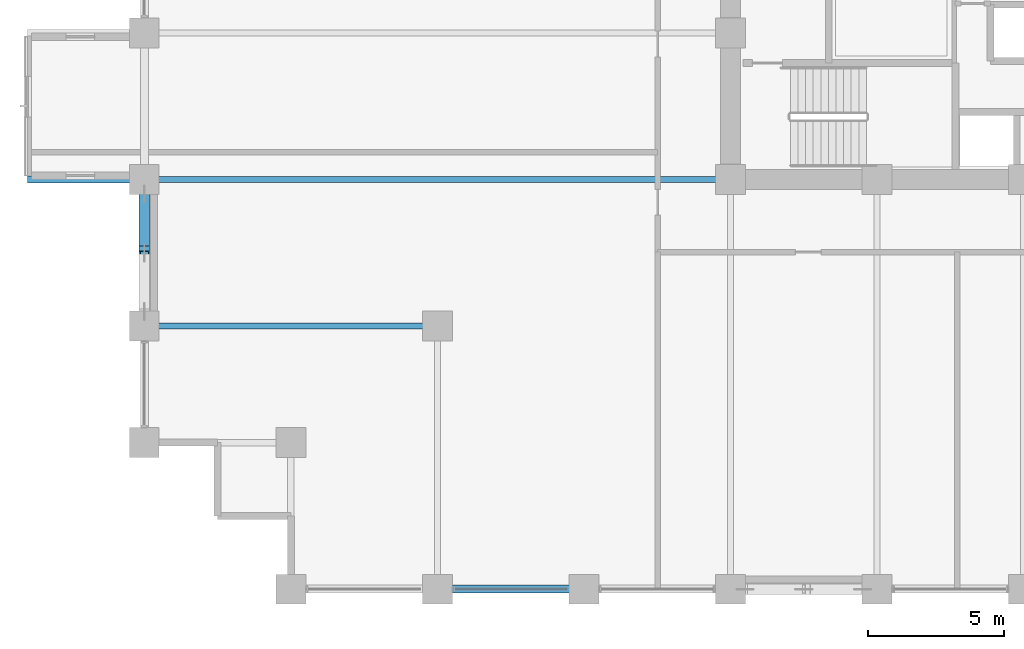
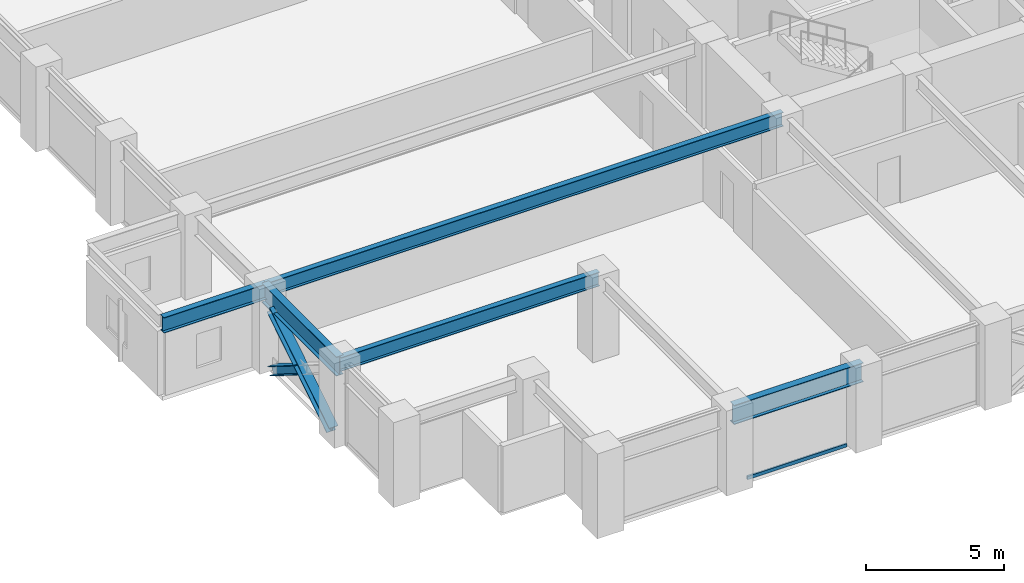
# One storey, part 3 of 29: 5 beams, 3 members, 1 element without a shape of its own.
"""IFC4 building model written with IfcOpenShell, lengths in metres."""

from ifc_helpers import new_model, si_unit, direction, frame, origin, origin_2d, place, context, subcontext, project, spatial, hollow_rectangle, i_section, extrude, material, layer, layer_set, material_profile, profile_set, type_object, element, aggregate, save


model = new_model("IFC4")

# Units and contexts
model_context = context("Model", 3, precision=1e-05, world=origin(), true_north=direction((0.0, 1.0)))
body_context = subcontext(model_context, "Body", "Model", "MODEL_VIEW")
ifc_project = project(units=[si_unit("LENGTHUNIT", "METRE"), si_unit("AREAUNIT", "SQUARE_METRE"), si_unit("VOLUMEUNIT", "CUBIC_METRE"), si_unit("PLANEANGLEUNIT", "RADIAN"), si_unit("MASSUNIT", "GRAM", prefix="KILO")], contexts=[model_context])

# Site, building, storey
site_placement = place(None, origin())
site = spatial("IfcSite", under=ifc_project, at=site_placement, CompositionType="ELEMENT")
building_placement = place(site_placement, origin())
building = spatial("IfcBuilding", under=site, at=building_placement, Name="Surkhivell Harbour Commons", CompositionType="ELEMENT")
storey_placement = place(building_placement, frame((0.0, 0.0, 90.75)))
storey = spatial("IfcBuildingStorey", under=building, at=storey_placement, Name="L23", CompositionType="ELEMENT", Elevation=90.75)

# Beams
ifc_material_1 = material(Name="Steel S460", Category="steel")
ifc_material_profile_1 = material_profile(ifc_material_1, i_section(OverallWidth=0.256103515625, OverallDepth=0.693115234375, WebThickness=0.014404296875, FlangeThickness=0.023681640625, at=origin_2d()), Name="UB686x254x170")
ifc_profile_set_1 = profile_set([ifc_material_profile_1], Name="Steel S460")
beam_type_1 = type_object("IfcBeamType", Name="BM-CNT-686", PredefinedType="BEAM", material=ifc_profile_set_1)
beam_1_placement = place(storey_placement, frame((-32.39990234375, -10.800048828125, 3.223388671875), z_axis=(-1.0, 0.0, 0.0), x_axis=(0.0, -1.0, 0.0)))
element("IfcBeam", 1, at=beam_1_placement, inside=storey, type_object=beam_type_1, Name="L23 Box Cantilever Outrigger (-32.4,-10.8)", PredefinedType="BEAM", context=body_context, shape_type="SweptSolid", body=[
    extrude(i_section(OverallWidth=0.256103515625, OverallDepth=0.693115234375, WebThickness=0.014404296875, FlangeThickness=0.023681640625, at=origin_2d()), origin(), (0.0, 0.0, 1.0), 4.300048828125),
])
ifc_material_2 = material(Name="Steel S355", Category="steel")
ifc_material_profile_2 = material_profile(ifc_material_2, i_section(OverallWidth=0.22998046875, OverallDepth=0.616943359375, WebThickness=0.01318359375, FlangeThickness=0.022216796875, at=origin_2d()), Name="UB610x229x140")
ifc_profile_set_2 = profile_set([ifc_material_profile_2], Name="Steel S355")
beam_type_2 = type_object("IfcBeamType", Name="BM-GRD-610B", PredefinedType="BEAM", material=ifc_profile_set_2)
beam_2_placement = place(storey_placement, frame((-32.39990234375, -10.800048828125, 3.261474609375), z_axis=(1.0, 0.0, 0.0), x_axis=(0.0, 1.0, 0.0)))
element("IfcBeam", 2, at=beam_2_placement, inside=storey, type_object=beam_type_2, Name="L23 Cantilever Back-Span Girder (-32.4,-10.8)", PredefinedType="BEAM", context=body_context, shape_type="SweptSolid", body=[
    extrude(i_section(OverallWidth=0.22998046875, OverallDepth=0.616943359375, WebThickness=0.01318359375, FlangeThickness=0.022216796875, at=origin_2d()), origin(), (0.0, 0.0, 1.0), 21.599853515625),
])
beam_3_placement = place(storey_placement, frame((-32.39990234375, -16.199951171875, 3.261474609375), z_axis=(1.0, 0.0, 0.0), x_axis=(0.0, 1.0, 0.0)))
element("IfcBeam", 3, at=beam_3_placement, inside=storey, type_object=beam_type_2, Name="L23 Floor Girder (-32.4,-16.2)", PredefinedType="BEAM", context=body_context, shape_type="SweptSolid", body=[
    extrude(i_section(OverallWidth=0.22998046875, OverallDepth=0.616943359375, WebThickness=0.01318359375, FlangeThickness=0.022216796875, at=origin_2d()), origin(), (0.0, 0.0, 1.0), 10.7998046875),
])
ifc_material_profile_3 = material_profile(ifc_material_1, i_section(OverallWidth=0.2939453125, OverallDepth=0.85107421875, WebThickness=0.01611328125, FlangeThickness=0.02685546875, at=origin_2d()), Name="UB838x292x226")
ifc_profile_set_3 = profile_set([ifc_material_profile_3], Name="Steel S460")
beam_type_3 = type_object("IfcBeamType", Name="BM-SPN-838", PredefinedType="SPANDREL", material=ifc_profile_set_3)
beam_4_placement = place(storey_placement, frame((-32.39990234375, -16.199951171875, 3.14453125), z_axis=(0.0, 1.0, 0.0), x_axis=(-1.0, 0.0, 0.0)))
element("IfcBeam", 4, at=beam_4_placement, inside=storey, type_object=beam_type_3, Name="L23 Tube Spandrel (-32.4,-16.2)", PredefinedType="SPANDREL", context=body_context, shape_type="SweptSolid", body=[
    extrude(i_section(OverallWidth=0.2939453125, OverallDepth=0.85107421875, WebThickness=0.01611328125, FlangeThickness=0.02685546875, at=origin_2d()), origin(), (0.0, 0.0, 1.0), 5.39990234375),
])
beam_5_placement = place(storey_placement, frame((-21.60009765625, -25.89990234375, 3.14453125), z_axis=(1.0, 0.0, 0.0), x_axis=(0.0, 1.0, 0.0)))
element("IfcBeam", 5, at=beam_5_placement, inside=storey, type_object=beam_type_3, Name="L23 Tube Spandrel (-21.6,-25.9)", PredefinedType="SPANDREL", context=body_context, shape_type="SweptSolid", body=[
    extrude(i_section(OverallWidth=0.2939453125, OverallDepth=0.85107421875, WebThickness=0.01611328125, FlangeThickness=0.02685546875, at=origin_2d()), origin(), (0.0, 0.0, 1.0), 5.400146484375),
])

# Curtain wall, member
ifc_material_3 = material(Name="Anodised pale-metal aluminium and insulated glazing", Category="aluminium")
ifc_layer = layer(ifc_material_3, 0.205078125)
ifc_layer_set = layer_set([ifc_layer], Name="Anodised pale-metal aluminium and insulated glazing")
curtain_wall_type = type_object("IfcCurtainWallType", Name="CW-SYS-Z2", PredefinedType="NOTDEFINED", material=ifc_layer_set)
curtain_wall_placement = place(storey_placement, origin())
curtain_wall = element("IfcCurtainWall", 6, at=curtain_wall_placement, inside=storey, type_object=curtain_wall_type, Name="L23 Curtain Wall CW-L23-E00S1", PredefinedType="NOTDEFINED")
ifc_material_4 = material(Name="Anodised pale-metal aluminium alloy 6063-T6", Category="aluminium")
ifc_material_profile_4 = material_profile(ifc_material_4, hollow_rectangle(XDim=0.074951171875, YDim=0.14990234375, WallThickness=0.00341796875, at=origin_2d()), Name="ALU-TRAN-75x150")
ifc_profile_set_4 = profile_set([ifc_material_profile_4], Name="Anodised pale-metal aluminium alloy 6063-T6")
member_type_1 = type_object("IfcMemberType", Name="CWT-150", PredefinedType="USERDEFINED", material=ifc_profile_set_4)
member_1_placement = place(storey_placement, frame((-20.972900390625, -25.89990234375, 0.074951171875), z_axis=(1.0, 0.0, 0.0), x_axis=(0.0, 1.0, 0.0)))
member_1 = element("IfcMember", 7, at=member_1_placement, type_object=member_type_1, Name="CW-Z2 transom 2.1", ObjectType="TRANSOM", PredefinedType="USERDEFINED", context=body_context, shape_type="SweptSolid", body=[
    extrude(hollow_rectangle(XDim=0.074951171875, YDim=0.14990234375, WallThickness=0.00341796875, at=origin_2d()), origin(), (0.0, 0.0, 1.0), 4.14599609375),
])
aggregate(curtain_wall, [member_1])

# Members
ifc_material_profile_5 = material_profile(ifc_material_1, i_section(OverallWidth=0.375, OverallDepth=0.375, WebThickness=0.0166015625, FlangeThickness=0.027099609375, at=origin_2d()), Name="UC356x368x202")
ifc_profile_set_5 = profile_set([ifc_material_profile_5], Name="Steel S460")
member_type_2 = type_object("IfcMemberType", Name="MEM-BRC-UC356", PredefinedType="BRACE", material=ifc_profile_set_5)
member_2_placement = place(storey_placement, frame((-32.39990234375, -15.6650390625, 0.008056640625), z_axis=(0.0, 0.847246015888, 0.531200704594), x_axis=(-1.0, 0.0, 0.0)))
element("IfcMember", 8, at=member_2_placement, inside=storey, type_object=member_type_2, Name="L23 Perimeter Mega-Brace MB- 10", PredefinedType="BRACE", context=body_context, shape_type="SweptSolid", body=[
    extrude(i_section(OverallWidth=0.375, OverallDepth=0.375, WebThickness=0.0166015625, FlangeThickness=0.027099609375, at=origin_2d()), origin(), (0.0, 0.0, 1.0), 5.11083984375),
])
member_3_placement = place(storey_placement, frame((-32.39990234375, -11.3349609375, 0.008056640625), z_axis=(0.0, -0.847206308526, 0.53126403115), x_axis=(1.0, 0.0, 0.0)))
element("IfcMember", 9, at=member_3_placement, inside=storey, type_object=member_type_2, Name="L23 Perimeter Mega-Brace MB- 11", PredefinedType="BRACE", context=body_context, shape_type="SweptSolid", body=[
    extrude(i_section(OverallWidth=0.375, OverallDepth=0.375, WebThickness=0.0166015625, FlangeThickness=0.027099609375, at=origin_2d()), origin(), (0.0, 0.0, 1.0), 2.37548828125),
])

save(model, "model.ifc")
